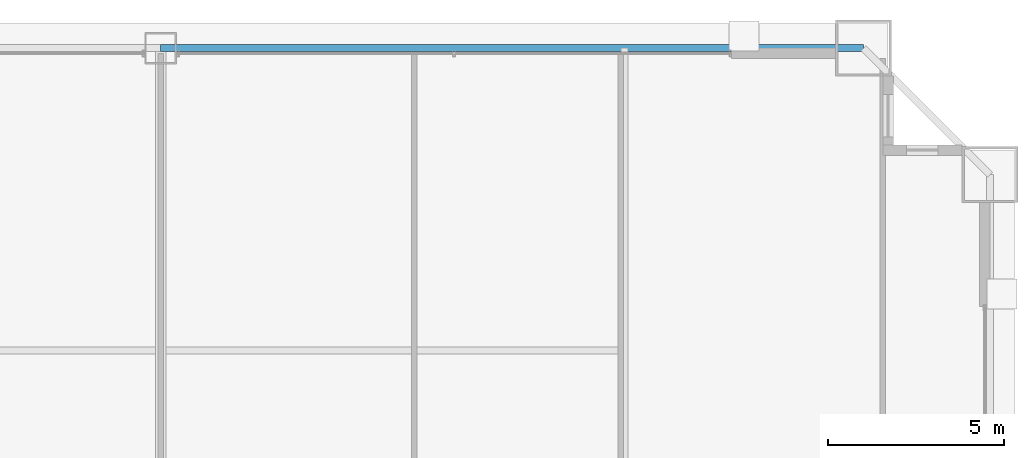
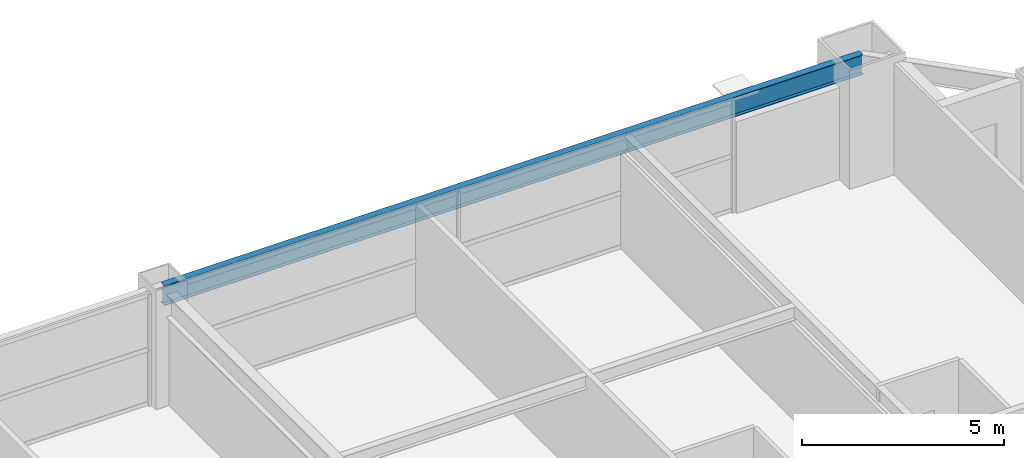
# One storey, part 32 of 39: 1 beam.
"""IFC4 building model written with IfcOpenShell, lengths in metres."""

from ifc_helpers import new_model, si_unit, direction, frame, origin, origin_2d, place, context, subcontext, project, spatial, i_section, extrude, source, transform, mapped, material, material_profile, profile_set, type_object, element, save


model = new_model("IFC4")

# Units and contexts
model_context = context("Model", 3, precision=1e-05, world=origin(), true_north=direction((0.0, 1.0)))
body_context = subcontext(model_context, "Body", "Model", "MODEL_VIEW")
ifc_project = project(units=[si_unit("LENGTHUNIT", "METRE"), si_unit("AREAUNIT", "SQUARE_METRE"), si_unit("VOLUMEUNIT", "CUBIC_METRE"), si_unit("PLANEANGLEUNIT", "RADIAN"), si_unit("MASSUNIT", "GRAM", prefix="KILO"), si_unit("THERMODYNAMICTEMPERATUREUNIT", "KELVIN"), si_unit("POWERUNIT", "WATT")], contexts=[model_context])

# Site, building, storey
site_placement = place(None, origin())
site = spatial("IfcSite", under=ifc_project, at=site_placement, CompositionType="ELEMENT")
building_placement = place(site_placement, origin())
building = spatial("IfcBuilding", under=site, at=building_placement, Name="Yuzanri Waterfront Tower", CompositionType="ELEMENT")
storey_placement = place(building_placement, frame((0.0, 0.0, 156.0)))
storey = spatial("IfcBuildingStorey", under=building, at=storey_placement, Name="L41", CompositionType="ELEMENT", Elevation=156.0)

# Beam
ifc_material = material(Name="Steel Q355B", Category="steel")
ifc_material_profile = material_profile(ifc_material, i_section(OverallWidth=0.199951171875, OverallDepth=0.60009765625, WebThickness=0.010986328125, FlangeThickness=0.01708984375, at=origin_2d()), Name="HN 600x200x11x17")
ifc_profile_set = profile_set([ifc_material_profile], Name="Steel Q355B")
beam_type = type_object("IfcBeamType", Name="Perimeter Spandrel Q355B HN 600x200", PredefinedType="SPANDREL", material=ifc_profile_set)
shared_shape = source(origin(), body_context, "Body", "SweptSolid", [
    extrude(i_section(OverallWidth=0.199951171875, OverallDepth=0.60009765625, WebThickness=0.010986328125, FlangeThickness=0.01708984375, at=origin_2d()), origin(), (0.0, 0.0, 1.0), 20.0),
])
beam_placement = place(storey_placement, frame((57.0, 49.39990234375, 3.080078125), z_axis=(-1.0, 0.0, 0.0), x_axis=(0.0, -1.0, 0.0)))
element("IfcBeam", 1, at=beam_placement, inside=storey, type_object=beam_type, Name="L41 Perimeter Spandrel N3-N2", PredefinedType="SPANDREL", context=body_context, shape_type="MappedRepresentation", body=[
    mapped(shared_shape, transform((0.0, 0.0, 0.0), scale=1.0)),
])

save(model, "model.ifc")
